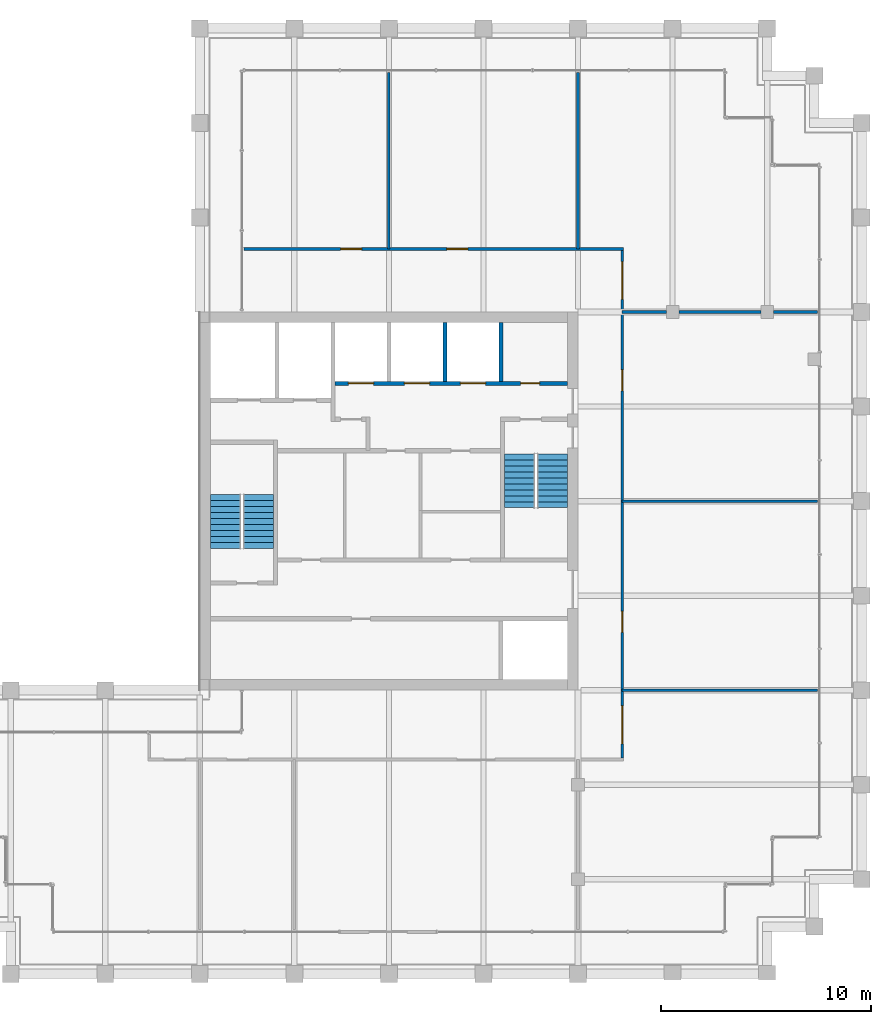
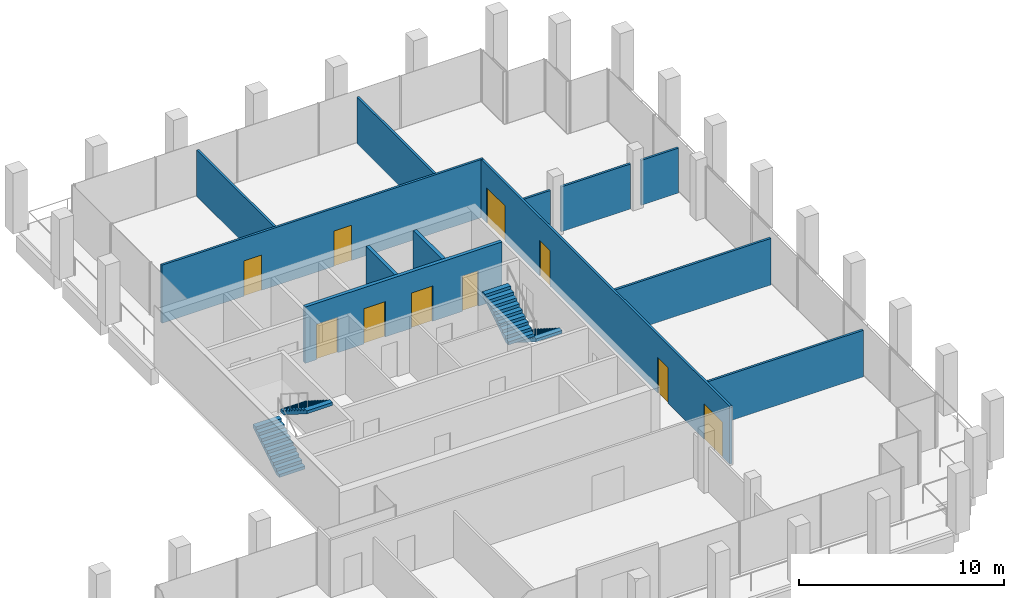
# One storey, part 29 of 30: 12 walls, 10 doors, 4 stair flights, 10 openings, 2 elements without a shape of their own.
"""IFC4 building model written with IfcOpenShell, lengths in metres."""

from ifc_helpers import new_model, si_unit, direction, frame, frame_2d, origin, place, context, subcontext, project, spatial, polyline, rectangle, outline, extrude, material, layer, layer_set, type_object, element, fill, aggregate, save


model = new_model("IFC4")

# Units and contexts
model_context = context("Model", 3, precision=1e-05, world=origin(), true_north=direction((0.0, 1.0)))
body_context = subcontext(model_context, "Body", "Model", "MODEL_VIEW")
ifc_project = project(units=[si_unit("LENGTHUNIT", "METRE"), si_unit("AREAUNIT", "SQUARE_METRE"), si_unit("VOLUMEUNIT", "CUBIC_METRE"), si_unit("PLANEANGLEUNIT", "RADIAN"), si_unit("MASSUNIT", "GRAM", prefix="KILO")], contexts=[model_context])

# Site, building, storey
site_placement = place(None, origin())
site = spatial("IfcSite", under=ifc_project, at=site_placement, CompositionType="ELEMENT")
building_placement = place(site_placement, origin())
building = spatial("IfcBuilding", under=site, at=building_placement, Name="Altepetl Exchange Towers", CompositionType="ELEMENT")
storey_placement = place(building_placement, frame((0.0, 0.0, 228.0)))
storey = spatial("IfcBuildingStorey", under=building, at=storey_placement, Name="L58", CompositionType="ELEMENT", Elevation=228.0)

# Walls
ifc_material_1 = material(Name="Timber panels on aluminium track", Category="wood")
ifc_layer_1 = layer(ifc_material_1, 0.125)
ifc_layer_set_1 = layer_set([ifc_layer_1], Name="Timber panels on aluminium track")
wall_type_1 = type_object("IfcWallType", Name="Operable acoustic partition 125", PredefinedType="MOVABLE", material=ifc_layer_set_1)
wall_1_placement = place(storey_placement, frame((60.60009765625, 49.5, 0.0)))
element("IfcWall", 1, at=wall_1_placement, inside=storey, type_object=wall_type_1, Name="wall:A:L58:P03", PredefinedType="MOVABLE", context=body_context, shape_type="SweptSolid", body=[
    extrude(rectangle(XDim=9.2998046875, YDim=0.125, at=frame_2d((4.64990234375, 0.0))), origin(), (0.0, 0.0, 1.0), 2.77197265625),
])
wall_2_placement = place(storey_placement, frame((49.5, 61.5, 0.0), z_axis=(0.0, 0.0, 1.0), x_axis=(0.0, 1.0, 0.0)))
element("IfcWall", 2, at=wall_2_placement, inside=storey, type_object=wall_type_1, Name="wall:A:L58:P11", PredefinedType="MOVABLE", context=body_context, shape_type="SweptSolid", body=[
    extrude(rectangle(XDim=8.39990234375, YDim=0.125, at=frame_2d((4.199951171875, 0.0))), origin(), (0.0, 0.0, 1.0), 2.77197265625),
])
ifc_material_2 = material(Name="Gypsum board on steel studs", Category="steel")
ifc_layer_2 = layer(ifc_material_2, 0.125)
ifc_layer_set_2 = layer_set([ifc_layer_2], Name="Gypsum board on steel studs")
wall_type_2 = type_object("IfcWallType", Name="Partition 125 gypsum board on steel studs", PredefinedType="PARTITIONING", material=ifc_layer_set_2)
wall_3_placement = place(storey_placement, frame((60.60009765625, 40.5, 0.0)))
element("IfcWall", 3, at=wall_3_placement, inside=storey, type_object=wall_type_2, Name="wall:A:L58:P02", PredefinedType="PARTITIONING", context=body_context, shape_type="SweptSolid", body=[
    extrude(rectangle(XDim=9.2998046875, YDim=0.125, at=frame_2d((4.64990234375, 0.0))), origin(), (0.0, 0.0, 1.0), 2.77197265625),
])
wall_4_placement = place(storey_placement, frame((60.60009765625, 58.5, 0.0)))
element("IfcWall", 4, at=wall_4_placement, inside=storey, type_object=wall_type_2, Name="wall:A:L58:P04", PredefinedType="PARTITIONING", context=body_context, shape_type="SweptSolid", body=[
    extrude(rectangle(XDim=2.099853515625, YDim=0.125, at=frame_2d((1.0498046875, 0.0))), origin(), (0.0, 0.0, 1.0), 2.676025390625),
])
wall_5_placement = place(storey_placement, frame((63.300048828125, 58.5, 0.0)))
element("IfcWall", 5, at=wall_5_placement, inside=storey, type_object=wall_type_2, Name="wall:A:L58:P05", PredefinedType="PARTITIONING", context=body_context, shape_type="SweptSolid", body=[
    extrude(rectangle(XDim=3.89990234375, YDim=0.125, at=frame_2d((1.949951171875, 0.0))), origin(), (0.0, 0.0, 1.0), 2.676025390625),
])
wall_6_placement = place(storey_placement, frame((67.800048828125, 58.5, 0.0)))
element("IfcWall", 6, at=wall_6_placement, inside=storey, type_object=wall_type_2, Name="wall:A:L58:P06", PredefinedType="PARTITIONING", context=body_context, shape_type="SweptSolid", body=[
    extrude(rectangle(XDim=2.099853515625, YDim=0.125, at=frame_2d((1.0498046875, 0.0))), origin(), (0.0, 0.0, 1.0), 2.676025390625),
])

# Wall, openings, doors
wall_7_placement = place(storey_placement, frame((42.60009765625, 61.5, 0.0)))
wall_7 = element("IfcWall", 7, at=wall_7_placement, inside=storey, type_object=wall_type_2, Name="wall:A:L58:P07", PredefinedType="PARTITIONING", context=body_context, shape_type="SweptSolid", body=[
    extrude(rectangle(XDim=18.0625, YDim=0.125, at=frame_2d((9.03125, 0.0))), origin(), (0.0, 0.0, 1.0), 3.449951171875),
])
opening_1_placement = place(wall_7_placement, frame((9.657958984375, 0.0, 0.0)))
opening_1 = element("IfcOpeningElement", 8, at=opening_1_placement, cuts=wall_7, Name="Opening L58.A08", PredefinedType="OPENING", context=body_context, shape_type="SweptSolid", body=[
    extrude(rectangle(XDim=1.0, YDim=2.10009765625, at=frame_2d((0.5, 1.050048828125))), frame((0.0, 0.072509765625, 0.0), z_axis=(0.0, -1.0, 0.0), x_axis=(1.0, 0.0, 0.0)), (0.0, 0.0, 1.0), 0.14501953125),
])
opening_2_placement = place(wall_7_placement, frame((4.60498046875, 0.0, 0.0)))
opening_2 = element("IfcOpeningElement", 9, at=opening_2_placement, cuts=wall_7, Name="Opening L58.A09", PredefinedType="OPENING", context=body_context, shape_type="SweptSolid", body=[
    extrude(rectangle(XDim=1.0, YDim=2.10009765625, at=frame_2d((0.5, 1.050048828125))), frame((0.0, 0.072509765625, 0.0), z_axis=(0.0, -1.0, 0.0), x_axis=(1.0, 0.0, 0.0)), (0.0, 0.0, 1.0), 0.14501953125),
])
ifc_material_3 = material(Name="Steel and timber fire door", Category="steel")
door_type_1 = type_object("IfcDoorType", Name="Fire door 1000 x 2100 single leaf", OperationType="SINGLE_SWING_LEFT", PredefinedType="DOOR", material=ifc_material_3)
door_1_placement = place(opening_1_placement, origin())
door_1 = element("IfcDoor", 10, at=door_1_placement, inside=storey, type_object=door_type_1, Name="door:A:L58:08", OperationType="SINGLE_SWING_LEFT", OverallHeight=2.10009765625, OverallWidth=1.0, PredefinedType="DOOR", context=body_context, shape_type="SweptSolid", body=[
    extrude(rectangle(XDim=1.0, YDim=2.10009765625, at=frame_2d((0.5, 1.050048828125))), frame((0.0, 0.02490234375, 0.0), z_axis=(0.0, -1.0, 0.0), x_axis=(1.0, 0.0, 0.0)), (0.0, 0.0, 1.0), 0.050048828125),
])
fill(opening_1, door_1)
door_2_placement = place(opening_2_placement, origin())
door_2 = element("IfcDoor", 11, at=door_2_placement, inside=storey, type_object=door_type_1, Name="door:A:L58:09", OperationType="SINGLE_SWING_RIGHT", OverallHeight=2.10009765625, OverallWidth=1.0, PredefinedType="DOOR", context=body_context, shape_type="SweptSolid", body=[
    extrude(rectangle(XDim=1.0, YDim=2.10009765625, at=frame_2d((0.5, 1.050048828125))), frame((0.0, 0.02490234375, 0.0), z_axis=(0.0, -1.0, 0.0), x_axis=(1.0, 0.0, 0.0)), (0.0, 0.0, 1.0), 0.050048828125),
])
fill(opening_2, door_2)

# Wall
wall_8_placement = place(storey_placement, frame((58.5, 61.5, 0.0), z_axis=(0.0, 0.0, 1.0), x_axis=(0.0, 1.0, 0.0)))
element("IfcWall", 12, at=wall_8_placement, inside=storey, type_object=wall_type_2, Name="wall:A:L58:P15", PredefinedType="PARTITIONING", context=body_context, shape_type="SweptSolid", body=[
    extrude(rectangle(XDim=8.39990234375, YDim=0.125, at=frame_2d((4.199951171875, 0.0))), origin(), (0.0, 0.0, 1.0), 2.77197265625),
])

# Wall, openings, doors
wall_9_placement = place(storey_placement, frame((60.60009765625, 37.262451171875, 0.0), z_axis=(0.0, 0.0, 1.0), x_axis=(0.0, 1.0, 0.0)))
wall_9 = element("IfcWall", 13, at=wall_9_placement, inside=storey, type_object=wall_type_2, Name="wall:A:L58:P16", PredefinedType="PARTITIONING", context=body_context, shape_type="SweptSolid", body=[
    extrude(rectangle(XDim=24.175048828125, YDim=0.125, at=frame_2d((12.08740234375, 0.0))), origin(), (0.0, 0.0, 1.0), 3.449951171875),
])
opening_3_placement = place(wall_9_placement, frame((0.6875, 0.0, 0.0)))
opening_3 = element("IfcOpeningElement", 14, at=opening_3_placement, cuts=wall_9, Name="Opening L58.A04", PredefinedType="OPENING", context=body_context, shape_type="SweptSolid", body=[
    extrude(rectangle(XDim=1.800048828125, YDim=2.10009765625, at=frame_2d((0.89990234375, 1.050048828125))), frame((0.0, 0.072509765625, 0.0), z_axis=(0.0, -1.0, 0.0), x_axis=(1.0, 0.0, 0.0)), (0.0, 0.0, 1.0), 0.14501953125),
])
opening_4_placement = place(wall_9_placement, frame((5.99560546875, 0.0, 0.0)))
opening_4 = element("IfcOpeningElement", 15, at=opening_4_placement, cuts=wall_9, Name="Opening L58.A05", PredefinedType="OPENING", context=body_context, shape_type="SweptSolid", body=[
    extrude(rectangle(XDim=1.0, YDim=2.10009765625, at=frame_2d((0.5, 1.050048828125))), frame((0.0, 0.072509765625, 0.0), z_axis=(0.0, -1.0, 0.0), x_axis=(1.0, 0.0, 0.0)), (0.0, 0.0, 1.0), 0.14501953125),
])
opening_5_placement = place(wall_9_placement, frame((17.4794921875, 0.0, 0.0)))
opening_5 = element("IfcOpeningElement", 16, at=opening_5_placement, cuts=wall_9, Name="Opening L58.A06", PredefinedType="OPENING", context=body_context, shape_type="SweptSolid", body=[
    extrude(rectangle(XDim=1.0, YDim=2.10009765625, at=frame_2d((0.5, 1.050048828125))), frame((0.0, 0.072509765625, 0.0), z_axis=(0.0, -1.0, 0.0), x_axis=(1.0, 0.0, 0.0)), (0.0, 0.0, 1.0), 0.14501953125),
])
opening_6_placement = place(wall_9_placement, frame((21.83740234375, 0.0, 0.0)))
opening_6 = element("IfcOpeningElement", 17, at=opening_6_placement, cuts=wall_9, Name="Opening L58.A07", PredefinedType="OPENING", context=body_context, shape_type="SweptSolid", body=[
    extrude(rectangle(XDim=1.800048828125, YDim=2.10009765625, at=frame_2d((0.89990234375, 1.050048828125))), frame((0.0, 0.072509765625, 0.0), z_axis=(0.0, -1.0, 0.0), x_axis=(1.0, 0.0, 0.0)), (0.0, 0.0, 1.0), 0.14501953125),
])
door_3_placement = place(opening_4_placement, frame((1.0, 0.0, 0.0), x_axis=(-1.0, 0.0, 0.0)))
door_3 = element("IfcDoor", 18, at=door_3_placement, inside=storey, type_object=door_type_1, Name="door:A:L58:05", OperationType="SINGLE_SWING_RIGHT", OverallHeight=2.10009765625, OverallWidth=1.0, PredefinedType="DOOR", context=body_context, shape_type="SweptSolid", body=[
    extrude(rectangle(XDim=1.0, YDim=2.10009765625, at=frame_2d((0.5, 1.050048828125))), frame((0.0, 0.02490234375, 0.0), z_axis=(0.0, -1.0, 0.0), x_axis=(1.0, 0.0, 0.0)), (0.0, 0.0, 1.0), 0.050048828125),
])
fill(opening_4, door_3)
door_4_placement = place(opening_5_placement, frame((1.0, 0.0, 0.0), x_axis=(-1.0, 0.0, 0.0)))
door_4 = element("IfcDoor", 19, at=door_4_placement, inside=storey, type_object=door_type_1, Name="door:A:L58:06", OperationType="SINGLE_SWING_RIGHT", OverallHeight=2.10009765625, OverallWidth=1.0, PredefinedType="DOOR", context=body_context, shape_type="SweptSolid", body=[
    extrude(rectangle(XDim=1.0, YDim=2.10009765625, at=frame_2d((0.5, 1.050048828125))), frame((0.0, 0.02490234375, 0.0), z_axis=(0.0, -1.0, 0.0), x_axis=(1.0, 0.0, 0.0)), (0.0, 0.0, 1.0), 0.050048828125),
])
fill(opening_5, door_4)
door_type_2 = type_object("IfcDoorType", Name="Fire door 1800 x 2100 double leaf", OperationType="DOUBLE_DOOR_SINGLE_SWING", PredefinedType="DOOR", material=ifc_material_3)
door_5_placement = place(opening_3_placement, frame((1.800048828125, 0.0, 0.0), x_axis=(-1.0, 0.0, 0.0)))
door_5 = element("IfcDoor", 20, at=door_5_placement, inside=storey, type_object=door_type_2, Name="door:A:L58:04", OperationType="DOUBLE_DOOR_SINGLE_SWING", OverallHeight=2.10009765625, OverallWidth=1.800048828125, PredefinedType="DOOR", context=body_context, shape_type="SweptSolid", body=[
    extrude(rectangle(XDim=1.800048828125, YDim=2.10009765625, at=frame_2d((0.89990234375, 1.050048828125))), frame((0.0, 0.02490234375, 0.0), z_axis=(0.0, -1.0, 0.0), x_axis=(1.0, 0.0, 0.0)), (0.0, 0.0, 1.0), 0.050048828125),
])
fill(opening_3, door_5)
door_6_placement = place(opening_6_placement, frame((1.800048828125, 0.0, 0.0), x_axis=(-1.0, 0.0, 0.0)))
door_6 = element("IfcDoor", 21, at=door_6_placement, inside=storey, type_object=door_type_2, Name="door:A:L58:07", OperationType="DOUBLE_DOOR_SINGLE_SWING", OverallHeight=2.10009765625, OverallWidth=1.800048828125, PredefinedType="DOOR", context=body_context, shape_type="SweptSolid", body=[
    extrude(rectangle(XDim=1.800048828125, YDim=2.10009765625, at=frame_2d((0.89990234375, 1.050048828125))), frame((0.0, 0.02490234375, 0.0), z_axis=(0.0, -1.0, 0.0), x_axis=(1.0, 0.0, 0.0)), (0.0, 0.0, 1.0), 0.050048828125),
])
fill(opening_6, door_6)

# Walls
ifc_material_4 = material(Name="Concrete C40/50", Category="concrete")
ifc_layer_3 = layer(ifc_material_4, 0.199951171875)
ifc_layer_set_3 = layer_set([ifc_layer_3], Name="Concrete C40/50")
wall_type_3 = type_object("IfcWallType", Name="Shaft wall 200 reinforced concrete", PredefinedType="SHEAR", material=ifc_layer_set_3)
for number, where, z_axis, x_axis, name in (
    (22, (52.166748046875, 58.0, 0.0), (0.0, 0.0, 1.0), (0.0, -1.0, 0.0), "wall:A:L58:K-divN4"),
    (23, (54.833251953125, 58.0, 0.0), (0.0, 0.0, 1.0), (0.0, -1.0, 0.0), "wall:A:L58:K-divN5"),
):
    element("IfcWall", number, at=place(storey_placement, frame(where, z_axis=z_axis, x_axis=x_axis)), inside=storey, type_object=wall_type_3, Name=name, PredefinedType="SHEAR", context=body_context, shape_type="SweptSolid", body=[
        extrude(rectangle(XDim=2.800048828125, YDim=0.199951171875, at=frame_2d((1.39990234375, 0.0))), origin(), (0.0, 0.0, 1.0), 3.35009765625),
    ])

# Wall, openings, doors
wall_10_placement = place(storey_placement, frame((46.933349609375, 55.10009765625, 0.0)))
wall_10 = element("IfcWall", 24, at=wall_10_placement, inside=storey, type_object=wall_type_3, Name="wall:A:L58:K-frontNb", PredefinedType="SHEAR", context=body_context, shape_type="SweptSolid", body=[
    extrude(rectangle(XDim=11.066650390625, YDim=0.199951171875, at=frame_2d((5.533203125, 0.0))), origin(), (0.0, 0.0, 1.0), 3.35009765625),
])
opening_7_placement = place(wall_10_placement, frame((8.83349609375, 0.0, 0.0)))
opening_7 = element("IfcOpeningElement", 25, at=opening_7_placement, cuts=wall_10, Name="Opening L58.A66", PredefinedType="OPENING", context=body_context, shape_type="SweptSolid", body=[
    extrude(rectangle(XDim=0.89990234375, YDim=2.10009765625, at=frame_2d((0.449951171875, 1.050048828125))), frame((0.0, 0.10986328125, 0.0), z_axis=(0.0, -1.0, 0.0), x_axis=(1.0, 0.0, 0.0)), (0.0, 0.0, 1.0), 0.219970703125),
])
opening_8_placement = place(wall_10_placement, frame((0.63330078125, 0.0, 0.0)))
opening_8 = element("IfcOpeningElement", 26, at=opening_8_placement, cuts=wall_10, Name="Opening L58.A74", PredefinedType="OPENING", context=body_context, shape_type="SweptSolid", body=[
    extrude(rectangle(XDim=1.199951171875, YDim=2.10009765625, at=frame_2d((0.60009765625, 1.050048828125))), frame((0.0, 0.10986328125, 0.0), z_axis=(0.0, -1.0, 0.0), x_axis=(1.0, 0.0, 0.0)), (0.0, 0.0, 1.0), 0.219970703125),
])
opening_9_placement = place(wall_10_placement, frame((3.300048828125, 0.0, 0.0)))
opening_9 = element("IfcOpeningElement", 27, at=opening_9_placement, cuts=wall_10, Name="Opening L58.A75", PredefinedType="OPENING", context=body_context, shape_type="SweptSolid", body=[
    extrude(rectangle(XDim=1.199951171875, YDim=2.10009765625, at=frame_2d((0.60009765625, 1.050048828125))), frame((0.0, 0.10986328125, 0.0), z_axis=(0.0, -1.0, 0.0), x_axis=(1.0, 0.0, 0.0)), (0.0, 0.0, 1.0), 0.219970703125),
])
opening_10_placement = place(wall_10_placement, frame((5.966796875, 0.0, 0.0)))
opening_10 = element("IfcOpeningElement", 28, at=opening_10_placement, cuts=wall_10, Name="Opening L58.A76", PredefinedType="OPENING", context=body_context, shape_type="SweptSolid", body=[
    extrude(rectangle(XDim=1.199951171875, YDim=2.10009765625, at=frame_2d((0.60009765625, 1.050048828125))), frame((0.0, 0.10986328125, 0.0), z_axis=(0.0, -1.0, 0.0), x_axis=(1.0, 0.0, 0.0)), (0.0, 0.0, 1.0), 0.219970703125),
])
door_type_3 = type_object("IfcDoorType", Name="Fire door 900 x 2100 service room", OperationType="SINGLE_SWING_LEFT", PredefinedType="DOOR", material=ifc_material_3)
door_7_placement = place(opening_7_placement, origin())
door_7 = element("IfcDoor", 29, at=door_7_placement, inside=storey, type_object=door_type_3, Name="door:A:L58:K-driser", OperationType="SINGLE_SWING_RIGHT", OverallHeight=2.10009765625, OverallWidth=0.89990234375, PredefinedType="DOOR", context=body_context, shape_type="SweptSolid", body=[
    extrude(rectangle(XDim=0.89990234375, YDim=2.10009765625, at=frame_2d((0.449951171875, 1.050048828125))), frame((0.0, 0.02490234375, 0.0), z_axis=(0.0, -1.0, 0.0), x_axis=(1.0, 0.0, 0.0)), (0.0, 0.0, 1.0), 0.050048828125),
])
fill(opening_7, door_7)
ifc_material_5 = material(Name="Stainless steel", Category="steel")
door_type_4 = type_object("IfcDoorType", Name="Lift landing door 1200 x 2100", OperationType="SLIDING_TO_LEFT", PredefinedType="DOOR", material=ifc_material_5)
door_8_placement = place(opening_8_placement, origin())
door_8 = element("IfcDoor", 30, at=door_8_placement, inside=storey, type_object=door_type_4, Name="Landing door P5", OperationType="SLIDING_TO_LEFT", OverallHeight=2.10009765625, OverallWidth=1.199951171875, PredefinedType="DOOR", context=body_context, shape_type="SweptSolid", body=[
    extrude(rectangle(XDim=1.199951171875, YDim=2.10009765625, at=frame_2d((0.60009765625, 1.050048828125))), frame((0.0, 0.02490234375, 0.0), z_axis=(0.0, -1.0, 0.0), x_axis=(1.0, 0.0, 0.0)), (0.0, 0.0, 1.0), 0.050048828125),
])
fill(opening_8, door_8)
door_9_placement = place(opening_9_placement, origin())
door_9 = element("IfcDoor", 31, at=door_9_placement, inside=storey, type_object=door_type_4, Name="Landing door P6", OperationType="SLIDING_TO_LEFT", OverallHeight=2.10009765625, OverallWidth=1.199951171875, PredefinedType="DOOR", context=body_context, shape_type="SweptSolid", body=[
    extrude(rectangle(XDim=1.199951171875, YDim=2.10009765625, at=frame_2d((0.60009765625, 1.050048828125))), frame((0.0, 0.02490234375, 0.0), z_axis=(0.0, -1.0, 0.0), x_axis=(1.0, 0.0, 0.0)), (0.0, 0.0, 1.0), 0.050048828125),
])
fill(opening_9, door_9)
door_10_placement = place(opening_10_placement, origin())
door_10 = element("IfcDoor", 32, at=door_10_placement, inside=storey, type_object=door_type_4, Name="Landing door P7", OperationType="SLIDING_TO_LEFT", OverallHeight=2.10009765625, OverallWidth=1.199951171875, PredefinedType="DOOR", context=body_context, shape_type="SweptSolid", body=[
    extrude(rectangle(XDim=1.199951171875, YDim=2.10009765625, at=frame_2d((0.60009765625, 1.050048828125))), frame((0.0, 0.02490234375, 0.0), z_axis=(0.0, -1.0, 0.0), x_axis=(1.0, 0.0, 0.0)), (0.0, 0.0, 1.0), 0.050048828125),
])
fill(opening_10, door_10)

# Stair, stair flights
stair_type = type_object("IfcStairType", Name="Exit stair 1450 flights dogleg", PredefinedType="HALF_TURN_STAIR", material=ifc_material_4)
stair_1_placement = place(storey_placement, origin())
stair_1 = element("IfcStair", 33, at=stair_1_placement, inside=storey, type_object=stair_type, Name="Exit stair 1", PredefinedType="HALF_TURN_STAIR")
stair_flight_type = type_object("IfcStairFlightType", Name="Stair flight 1450 wide", PredefinedType="STRAIGHT", material=ifc_material_4)
stair_flight_1_placement = place(storey_placement, frame((41.72509765625, 47.25, 0.0), z_axis=(0.0, 0.0, 1.0), x_axis=(0.0, 1.0, 0.0)))
stair_flight_1 = element("IfcStairFlight", 34, at=stair_flight_1_placement, type_object=stair_flight_type, Name="ST-A1f flight 1", NumberOfRisers=10, NumberOfTreads=9, PredefinedType="STRAIGHT", RiserHeight=0.18, TreadLength=0.285, context=body_context, shape_type="SweptSolid", body=[
    extrude(outline(polyline([(0.0, 0.0), (0.0, 0.179931640625), (0.284912109375, 0.179931640625), (0.284912109375, 0.360107421875), (0.570068359375, 0.360107421875), (0.570068359375, 0.5400390625), (0.85498046875, 0.5400390625), (0.85498046875, 0.719970703125), (1.139892578125, 0.719970703125), (1.139892578125, 0.89990234375), (1.425048828125, 0.89990234375), (1.425048828125, 1.080078125), (1.7099609375, 1.080078125), (1.7099609375, 1.260009765625), (1.9951171875, 1.260009765625), (1.9951171875, 1.43994140625), (2.280029296875, 1.43994140625), (2.280029296875, 1.6201171875), (2.56494140625, 1.6201171875), (2.56494140625, 1.800048828125), (2.56494140625, 1.442626953125), (0.28076171875, 0.0), (0.0, 0.0)])), frame((0.0, 0.72509765625, 0.0), z_axis=(0.0, -1.0, 0.0), x_axis=(1.0, 0.0, 0.0)), (0.0, 0.0, 1.0), 1.449951171875),
])
stair_flight_2_placement = place(storey_placement, frame((43.27490234375, 49.81494140625, 1.800048828125), z_axis=(0.0, 0.0, 1.0), x_axis=(0.0, -1.0, 0.0)))
stair_flight_2 = element("IfcStairFlight", 35, at=stair_flight_2_placement, type_object=stair_flight_type, Name="ST-A1f flight 2", NumberOfRisers=10, NumberOfTreads=9, PredefinedType="STRAIGHT", RiserHeight=0.18, TreadLength=0.285, context=body_context, shape_type="SweptSolid", body=[
    extrude(outline(polyline([(0.0, 0.0), (0.0, 0.179931640625), (0.284912109375, 0.179931640625), (0.284912109375, 0.360107421875), (0.570068359375, 0.360107421875), (0.570068359375, 0.5400390625), (0.85498046875, 0.5400390625), (0.85498046875, 0.719970703125), (1.139892578125, 0.719970703125), (1.139892578125, 0.89990234375), (1.425048828125, 0.89990234375), (1.425048828125, 1.080078125), (1.7099609375, 1.080078125), (1.7099609375, 1.260009765625), (1.9951171875, 1.260009765625), (1.9951171875, 1.43994140625), (2.280029296875, 1.43994140625), (2.280029296875, 1.6201171875), (2.56494140625, 1.6201171875), (2.56494140625, 1.800048828125), (2.56494140625, 1.442626953125), (0.28076171875, 0.0), (0.0, 0.0)])), frame((0.0, 0.72509765625, 0.0), z_axis=(0.0, -1.0, 0.0), x_axis=(1.0, 0.0, 0.0)), (0.0, 0.0, 1.0), 1.449951171875),
])
aggregate(stair_1, [stair_flight_1, stair_flight_2])

stair_2_placement = place(storey_placement, origin())
stair_2 = element("IfcStair", 36, at=stair_2_placement, inside=storey, type_object=stair_type, Name="Exit stair 2", PredefinedType="HALF_TURN_STAIR")
stair_flight_3_placement = place(storey_placement, frame((57.27490234375, 51.75, 0.0), z_axis=(0.0, 0.0, 1.0), x_axis=(0.0, -1.0, 0.0)))
stair_flight_3 = element("IfcStairFlight", 37, at=stair_flight_3_placement, type_object=stair_flight_type, Name="ST-A2f flight 1", NumberOfRisers=10, NumberOfTreads=9, PredefinedType="STRAIGHT", RiserHeight=0.18, TreadLength=0.285, context=body_context, shape_type="SweptSolid", body=[
    extrude(outline(polyline([(0.0, 0.0), (0.0, 0.179931640625), (0.284912109375, 0.179931640625), (0.284912109375, 0.360107421875), (0.570068359375, 0.360107421875), (0.570068359375, 0.5400390625), (0.85498046875, 0.5400390625), (0.85498046875, 0.719970703125), (1.139892578125, 0.719970703125), (1.139892578125, 0.89990234375), (1.425048828125, 0.89990234375), (1.425048828125, 1.080078125), (1.7099609375, 1.080078125), (1.7099609375, 1.260009765625), (1.9951171875, 1.260009765625), (1.9951171875, 1.43994140625), (2.280029296875, 1.43994140625), (2.280029296875, 1.6201171875), (2.56494140625, 1.6201171875), (2.56494140625, 1.800048828125), (2.56494140625, 1.442626953125), (0.28076171875, 0.0), (0.0, 0.0)])), frame((0.0, 0.72509765625, 0.0), z_axis=(0.0, -1.0, 0.0), x_axis=(1.0, 0.0, 0.0)), (0.0, 0.0, 1.0), 1.449951171875),
])
stair_flight_4_placement = place(storey_placement, frame((55.72509765625, 49.18505859375, 1.800048828125), z_axis=(0.0, 0.0, 1.0), x_axis=(0.0, 1.0, 0.0)))
stair_flight_4 = element("IfcStairFlight", 38, at=stair_flight_4_placement, type_object=stair_flight_type, Name="ST-A2f flight 2", NumberOfRisers=10, NumberOfTreads=9, PredefinedType="STRAIGHT", RiserHeight=0.18, TreadLength=0.285, context=body_context, shape_type="SweptSolid", body=[
    extrude(outline(polyline([(0.0, 0.0), (0.0, 0.179931640625), (0.284912109375, 0.179931640625), (0.284912109375, 0.360107421875), (0.570068359375, 0.360107421875), (0.570068359375, 0.5400390625), (0.85498046875, 0.5400390625), (0.85498046875, 0.719970703125), (1.139892578125, 0.719970703125), (1.139892578125, 0.89990234375), (1.425048828125, 0.89990234375), (1.425048828125, 1.080078125), (1.7099609375, 1.080078125), (1.7099609375, 1.260009765625), (1.9951171875, 1.260009765625), (1.9951171875, 1.43994140625), (2.280029296875, 1.43994140625), (2.280029296875, 1.6201171875), (2.56494140625, 1.6201171875), (2.56494140625, 1.800048828125), (2.56494140625, 1.442626953125), (0.28076171875, 0.0), (0.0, 0.0)])), frame((0.0, 0.72509765625, 0.0), z_axis=(0.0, -1.0, 0.0), x_axis=(1.0, 0.0, 0.0)), (0.0, 0.0, 1.0), 1.449951171875),
])
aggregate(stair_2, [stair_flight_3, stair_flight_4])

save(model, "model.ifc")
